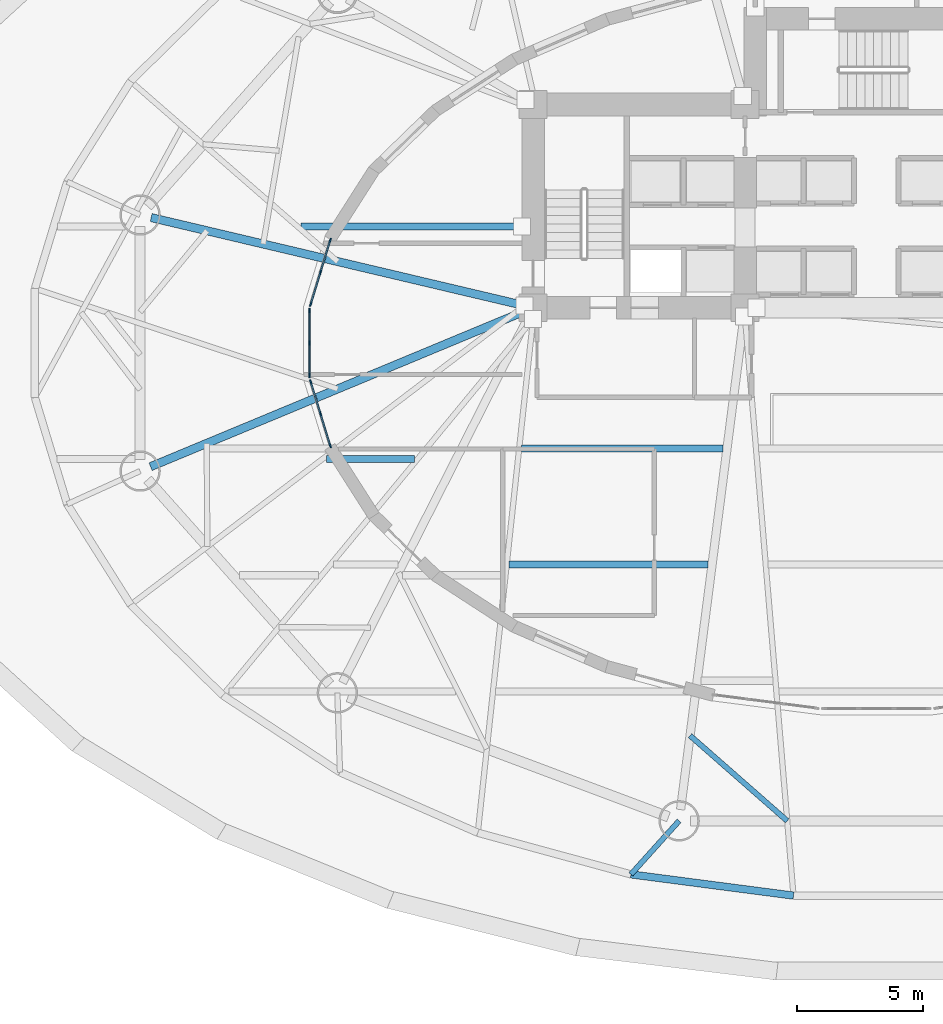
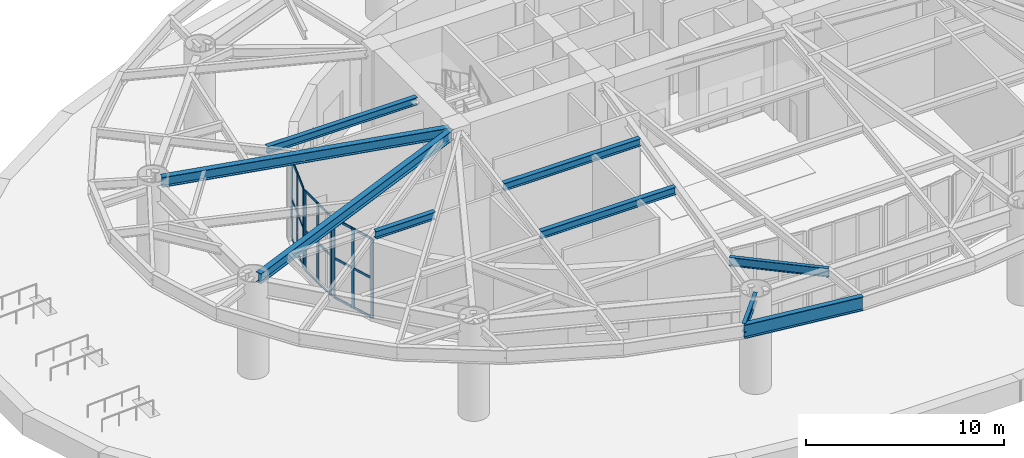
# One storey, part 3 of 21: 27 members, 9 beams, 3 elements without a shape of their own.
"""IFC4 building model written with IfcOpenShell, lengths in metres."""

from ifc_helpers import new_model, si_unit, direction, frame, origin, origin_2d, place, context, subcontext, project, spatial, rectangle, i_section, extrude, material, layer, layer_set, material_profile, profile_set, type_object, element, aggregate, save


model = new_model("IFC4")

# Units and contexts
model_context = context("Model", 3, precision=1e-05, world=origin(), true_north=direction((0.0, 1.0)))
body_context = subcontext(model_context, "Body", "Model", "MODEL_VIEW")
ifc_project = project(units=[si_unit("LENGTHUNIT", "METRE"), si_unit("AREAUNIT", "SQUARE_METRE"), si_unit("VOLUMEUNIT", "CUBIC_METRE"), si_unit("PLANEANGLEUNIT", "RADIAN"), si_unit("MASSUNIT", "GRAM", prefix="KILO")], contexts=[model_context])

# Site, building, storey
site_placement = place(None, origin())
site = spatial("IfcSite", under=ifc_project, at=site_placement, CompositionType="ELEMENT")
building_placement = place(site_placement, origin())
building = spatial("IfcBuilding", under=site, at=building_placement, Name="Keldmark Tower", CompositionType="ELEMENT")
storey_placement = place(building_placement, origin())
storey = spatial("IfcBuildingStorey", under=building, at=storey_placement, Name="L00", CompositionType="ELEMENT", Elevation=0.0)

# Beams
ifc_material_1 = material(Name="Steel ASTM A992 Grade 50", Category="steel")
ifc_material_profile_1 = material_profile(ifc_material_1, i_section(OverallWidth=0.280029296875, OverallDepth=0.462890625, WebThickness=0.0107421875, FlangeThickness=0.017333984375, at=origin_2d()), Name="W18X76")
ifc_profile_set_1 = profile_set([ifc_material_profile_1], Name="Steel ASTM A992 Grade 50")
beam_type_1 = type_object("IfcBeamType", Name="Composite Floor Joist W18X76", PredefinedType="JOIST", material=ifc_profile_set_1)
beam_1_placement = place(storey_placement, frame((-14.55126953125, -8.780029296875, 5.548583984375), z_axis=(1.0, 0.0, 0.0), x_axis=(0.0, 1.0, 0.0)))
element("IfcBeam", 1, at=beam_1_placement, inside=storey, type_object=beam_type_1, Name="L00 Composite Floor Joist J11", PredefinedType="JOIST", context=body_context, shape_type="SweptSolid", body=[
    extrude(i_section(OverallWidth=0.280029296875, OverallDepth=0.462890625, WebThickness=0.0107421875, FlangeThickness=0.017333984375, at=origin_2d()), origin(), (0.0, 0.0, 1.0), 7.885498046875),
])
beam_2_placement = place(storey_placement, frame((-21.7861328125, -4.60009765625, 5.548583984375), z_axis=(1.0, 0.0, 0.0), x_axis=(0.0, 1.0, 0.0)))
element("IfcBeam", 2, at=beam_2_placement, inside=storey, type_object=beam_type_1, Name="L00 Composite Floor Joist J19", PredefinedType="JOIST", context=body_context, shape_type="SweptSolid", body=[
    extrude(i_section(OverallWidth=0.280029296875, OverallDepth=0.462890625, WebThickness=0.0107421875, FlangeThickness=0.017333984375, at=origin_2d()), origin(), (0.0, 0.0, 1.0), 3.482177734375),
])
beam_3_placement = place(storey_placement, frame((-14.055908203125, -4.179931640625, 5.548583984375), z_axis=(1.0, 0.0, 0.0), x_axis=(0.0, 1.0, 0.0)))
element("IfcBeam", 3, at=beam_3_placement, inside=storey, type_object=beam_type_1, Name="L00 Composite Floor Joist J20", PredefinedType="JOIST", context=body_context, shape_type="SweptSolid", body=[
    extrude(i_section(OverallWidth=0.280029296875, OverallDepth=0.462890625, WebThickness=0.0107421875, FlangeThickness=0.017333984375, at=origin_2d()), origin(), (0.0, 0.0, 1.0), 7.98193359375),
])
beam_4_placement = place(storey_placement, frame((-22.790283203125, 4.6201171875, 5.548583984375), z_axis=(1.0, 0.0, 0.0), x_axis=(0.0, 1.0, 0.0)))
element("IfcBeam", 4, at=beam_4_placement, inside=storey, type_object=beam_type_1, Name="L00 Composite Floor Joist J28", PredefinedType="JOIST", context=body_context, shape_type="SweptSolid", body=[
    extrude(i_section(OverallWidth=0.280029296875, OverallDepth=0.462890625, WebThickness=0.0107421875, FlangeThickness=0.017333984375, at=origin_2d()), origin(), (0.0, 0.0, 1.0), 8.745361328125),
])

# Curtain wall, members
ifc_material_2 = material(Name="Unitized Thermally Broken Aluminum and Triple Low-E Glazing", Category="aluminium")
ifc_layer = layer(ifc_material_2, 0.219970703125)
ifc_layer_set = layer_set([ifc_layer], Name="Unitized Thermally Broken Aluminum and Triple Low-E Glazing")
curtain_wall_type = type_object("IfcCurtainWallType", Name="Skyway Entry Glazed Curtain Wall System", PredefinedType="NOTDEFINED", material=ifc_layer_set)
curtain_wall_1_placement = place(storey_placement, origin())
curtain_wall_1 = element("IfcCurtainWall", 5, at=curtain_wall_1_placement, inside=storey, type_object=curtain_wall_type, Name="L00 Skyway Entry Glazed Curtain Wall System CW-L00-15", PredefinedType="NOTDEFINED")
ifc_material_3 = material(Name="Extruded Aluminum Alloy 6063-T6", Category="aluminium")
ifc_material_profile_2 = material_profile(ifc_material_3, rectangle(XDim=0.06005859375, YDim=0.139892578125, at=origin_2d()), Name="CWT60X140")
ifc_profile_set_2 = profile_set([ifc_material_profile_2], Name="Extruded Aluminum Alloy 6063-T6")
member_type_1 = type_object("IfcMemberType", Name="Curtain Wall Horizontal Transom 60x140", PredefinedType="USERDEFINED", material=ifc_profile_set_2)
member_1_placement = place(storey_placement, frame((-21.647216796875, 4.03466796875, 0.030029296875), z_axis=(-0.293022039218, -0.956105686905, 0.0), x_axis=(0.956105686905, -0.293022039218, 0.0)))
member_1 = element("IfcMember", 6, at=member_1_placement, type_object=member_type_1, Name="CW transom 1.1", ObjectType="TRANSOM", PredefinedType="USERDEFINED", context=body_context, shape_type="SweptSolid", body=[
    extrude(rectangle(XDim=0.06005859375, YDim=0.139892578125, at=origin_2d()), origin(), (0.0, 0.0, 1.0), 1.258056640625),
])
member_2_placement = place(storey_placement, frame((-21.647216796875, 4.03466796875, 2.45458984375), z_axis=(-0.293022039218, -0.956105686905, 0.0), x_axis=(0.956105686905, -0.293022039218, 0.0)))
member_2 = element("IfcMember", 7, at=member_2_placement, type_object=member_type_1, Name="CW transom 1.2", ObjectType="TRANSOM", PredefinedType="USERDEFINED", context=body_context, shape_type="SweptSolid", body=[
    extrude(rectangle(XDim=0.06005859375, YDim=0.139892578125, at=origin_2d()), origin(), (0.0, 0.0, 1.0), 1.258056640625),
])
member_3_placement = place(storey_placement, frame((-21.647216796875, 4.03466796875, 4.87890625), z_axis=(-0.293022039218, -0.956105686905, 0.0), x_axis=(0.956105686905, -0.293022039218, 0.0)))
member_3 = element("IfcMember", 8, at=member_3_placement, type_object=member_type_1, Name="CW transom 1.3", ObjectType="TRANSOM", PredefinedType="USERDEFINED", context=body_context, shape_type="SweptSolid", body=[
    extrude(rectangle(XDim=0.06005859375, YDim=0.139892578125, at=origin_2d()), origin(), (0.0, 0.0, 1.0), 1.258056640625),
])
member_4_placement = place(storey_placement, frame((-22.033447265625, 2.7744140625, 0.030029296875), z_axis=(-0.293076415101, -0.956089020391, 0.0), x_axis=(0.956089020391, -0.293076415101, 0.0)))
member_4 = element("IfcMember", 9, at=member_4_placement, type_object=member_type_1, Name="CW transom 2.1", ObjectType="TRANSOM", PredefinedType="USERDEFINED", context=body_context, shape_type="SweptSolid", body=[
    extrude(rectangle(XDim=0.06005859375, YDim=0.139892578125, at=origin_2d()), origin(), (0.0, 0.0, 1.0), 1.2578125),
])
member_5_placement = place(storey_placement, frame((-22.033447265625, 2.7744140625, 2.45458984375), z_axis=(-0.293076415101, -0.956089020391, 0.0), x_axis=(0.956089020391, -0.293076415101, 0.0)))
member_5 = element("IfcMember", 10, at=member_5_placement, type_object=member_type_1, Name="CW transom 2.2", ObjectType="TRANSOM", PredefinedType="USERDEFINED", context=body_context, shape_type="SweptSolid", body=[
    extrude(rectangle(XDim=0.06005859375, YDim=0.139892578125, at=origin_2d()), origin(), (0.0, 0.0, 1.0), 1.2578125),
])
member_6_placement = place(storey_placement, frame((-22.033447265625, 2.7744140625, 4.87890625), z_axis=(-0.293076415101, -0.956089020391, 0.0), x_axis=(0.956089020391, -0.293076415101, 0.0)))
member_6 = element("IfcMember", 11, at=member_6_placement, type_object=member_type_1, Name="CW transom 2.3", ObjectType="TRANSOM", PredefinedType="USERDEFINED", context=body_context, shape_type="SweptSolid", body=[
    extrude(rectangle(XDim=0.06005859375, YDim=0.139892578125, at=origin_2d()), origin(), (0.0, 0.0, 1.0), 1.2578125),
])

curtain_wall_2_placement = place(storey_placement, origin())
curtain_wall_2 = element("IfcCurtainWall", 12, at=curtain_wall_2_placement, inside=storey, type_object=curtain_wall_type, Name="L00 Skyway Entry Glazed Curtain Wall System CW-L00-16", PredefinedType="NOTDEFINED")
member_7_placement = place(storey_placement, frame((-22.4501953125, 1.250732421875, 0.030029296875), z_axis=(0.0, -1.0, 0.0), x_axis=(1.0, 0.0, 0.0)))
member_7 = element("IfcMember", 13, at=member_7_placement, type_object=member_type_1, Name="CW transom 1.1", ObjectType="TRANSOM", PredefinedType="USERDEFINED", context=body_context, shape_type="SweptSolid", body=[
    extrude(rectangle(XDim=0.06005859375, YDim=0.139892578125, at=origin_2d()), origin(), (0.0, 0.0, 1.0), 1.220703125),
])
member_8_placement = place(storey_placement, frame((-22.4501953125, 1.250732421875, 2.45458984375), z_axis=(0.0, -1.0, 0.0), x_axis=(1.0, 0.0, 0.0)))
member_8 = element("IfcMember", 14, at=member_8_placement, type_object=member_type_1, Name="CW transom 1.2", ObjectType="TRANSOM", PredefinedType="USERDEFINED", context=body_context, shape_type="SweptSolid", body=[
    extrude(rectangle(XDim=0.06005859375, YDim=0.139892578125, at=origin_2d()), origin(), (0.0, 0.0, 1.0), 1.220703125),
])
member_9_placement = place(storey_placement, frame((-22.4501953125, 1.250732421875, 4.87890625), z_axis=(0.0, -1.0, 0.0), x_axis=(1.0, 0.0, 0.0)))
member_9 = element("IfcMember", 15, at=member_9_placement, type_object=member_type_1, Name="CW transom 1.3", ObjectType="TRANSOM", PredefinedType="USERDEFINED", context=body_context, shape_type="SweptSolid", body=[
    extrude(rectangle(XDim=0.06005859375, YDim=0.139892578125, at=origin_2d()), origin(), (0.0, 0.0, 1.0), 1.220703125),
])
member_10_placement = place(storey_placement, frame((-22.4501953125, -0.030029296875, 0.030029296875), z_axis=(0.0, -1.0, 0.0), x_axis=(1.0, 0.0, 0.0)))
member_10 = element("IfcMember", 16, at=member_10_placement, type_object=member_type_1, Name="CW transom 2.1", ObjectType="TRANSOM", PredefinedType="USERDEFINED", context=body_context, shape_type="SweptSolid", body=[
    extrude(rectangle(XDim=0.06005859375, YDim=0.139892578125, at=origin_2d()), origin(), (0.0, 0.0, 1.0), 1.220703125),
])
member_11_placement = place(storey_placement, frame((-22.4501953125, -0.030029296875, 2.45458984375), z_axis=(0.0, -1.0, 0.0), x_axis=(1.0, 0.0, 0.0)))
member_11 = element("IfcMember", 17, at=member_11_placement, type_object=member_type_1, Name="CW transom 2.2", ObjectType="TRANSOM", PredefinedType="USERDEFINED", context=body_context, shape_type="SweptSolid", body=[
    extrude(rectangle(XDim=0.06005859375, YDim=0.139892578125, at=origin_2d()), origin(), (0.0, 0.0, 1.0), 1.220703125),
])
member_12_placement = place(storey_placement, frame((-22.4501953125, -0.030029296875, 4.87890625), z_axis=(0.0, -1.0, 0.0), x_axis=(1.0, 0.0, 0.0)))
member_12 = element("IfcMember", 18, at=member_12_placement, type_object=member_type_1, Name="CW transom 2.3", ObjectType="TRANSOM", PredefinedType="USERDEFINED", context=body_context, shape_type="SweptSolid", body=[
    extrude(rectangle(XDim=0.06005859375, YDim=0.139892578125, at=origin_2d()), origin(), (0.0, 0.0, 1.0), 1.220703125),
])

curtain_wall_3_placement = place(storey_placement, origin())
curtain_wall_3 = element("IfcCurtainWall", 19, at=curtain_wall_3_placement, inside=storey, type_object=curtain_wall_type, Name="L00 Skyway Entry Glazed Curtain Wall System CW-L00-17", PredefinedType="NOTDEFINED")
member_13_placement = place(storey_placement, frame((-22.402099609375, -1.57177734375, 0.030029296875), z_axis=(0.293076415101, -0.956089020391, 0.0), x_axis=(0.956089020391, 0.293076415101, 0.0)))
member_13 = element("IfcMember", 20, at=member_13_placement, type_object=member_type_1, Name="CW transom 1.1", ObjectType="TRANSOM", PredefinedType="USERDEFINED", context=body_context, shape_type="SweptSolid", body=[
    extrude(rectangle(XDim=0.06005859375, YDim=0.139892578125, at=origin_2d()), origin(), (0.0, 0.0, 1.0), 1.2578125),
])
member_14_placement = place(storey_placement, frame((-22.402099609375, -1.57177734375, 2.45458984375), z_axis=(0.293076415101, -0.956089020391, 0.0), x_axis=(0.956089020391, 0.293076415101, 0.0)))
member_14 = element("IfcMember", 21, at=member_14_placement, type_object=member_type_1, Name="CW transom 1.2", ObjectType="TRANSOM", PredefinedType="USERDEFINED", context=body_context, shape_type="SweptSolid", body=[
    extrude(rectangle(XDim=0.06005859375, YDim=0.139892578125, at=origin_2d()), origin(), (0.0, 0.0, 1.0), 1.2578125),
])
member_15_placement = place(storey_placement, frame((-22.402099609375, -1.57177734375, 4.87890625), z_axis=(0.293076415101, -0.956089020391, 0.0), x_axis=(0.956089020391, 0.293076415101, 0.0)))
member_15 = element("IfcMember", 22, at=member_15_placement, type_object=member_type_1, Name="CW transom 1.3", ObjectType="TRANSOM", PredefinedType="USERDEFINED", context=body_context, shape_type="SweptSolid", body=[
    extrude(rectangle(XDim=0.06005859375, YDim=0.139892578125, at=origin_2d()), origin(), (0.0, 0.0, 1.0), 1.2578125),
])
member_16_placement = place(storey_placement, frame((-22.015869140625, -2.831787109375, 0.030029296875), z_axis=(0.293022039218, -0.956105686905, 0.0), x_axis=(0.956105686905, 0.293022039218, 0.0)))
member_16 = element("IfcMember", 23, at=member_16_placement, type_object=member_type_1, Name="CW transom 2.1", ObjectType="TRANSOM", PredefinedType="USERDEFINED", context=body_context, shape_type="SweptSolid", body=[
    extrude(rectangle(XDim=0.06005859375, YDim=0.139892578125, at=origin_2d()), origin(), (0.0, 0.0, 1.0), 1.258056640625),
])
member_17_placement = place(storey_placement, frame((-22.015869140625, -2.831787109375, 2.45458984375), z_axis=(0.293022039218, -0.956105686905, 0.0), x_axis=(0.956105686905, 0.293022039218, 0.0)))
member_17 = element("IfcMember", 24, at=member_17_placement, type_object=member_type_1, Name="CW transom 2.2", ObjectType="TRANSOM", PredefinedType="USERDEFINED", context=body_context, shape_type="SweptSolid", body=[
    extrude(rectangle(XDim=0.06005859375, YDim=0.139892578125, at=origin_2d()), origin(), (0.0, 0.0, 1.0), 1.258056640625),
])
member_18_placement = place(storey_placement, frame((-22.015869140625, -2.831787109375, 4.87890625), z_axis=(0.293022039218, -0.956105686905, 0.0), x_axis=(0.956105686905, 0.293022039218, 0.0)))
member_18 = element("IfcMember", 25, at=member_18_placement, type_object=member_type_1, Name="CW transom 2.3", ObjectType="TRANSOM", PredefinedType="USERDEFINED", context=body_context, shape_type="SweptSolid", body=[
    extrude(rectangle(XDim=0.06005859375, YDim=0.139892578125, at=origin_2d()), origin(), (0.0, 0.0, 1.0), 1.258056640625),
])

# Member
ifc_material_4 = material(Name="Extruded Aluminum Alloy 6063-T6", Category="aluminium")
ifc_material_profile_3 = material_profile(ifc_material_4, rectangle(XDim=0.06005859375, YDim=0.179931640625, at=origin_2d()), Name="CWM60X180")
ifc_profile_set_3 = profile_set([ifc_material_profile_3], Name="Extruded Aluminum Alloy 6063-T6")
member_type_2 = type_object("IfcMemberType", Name="Curtain Wall Structural Mullion 60x180", PredefinedType="MULLION", material=ifc_profile_set_3)
member_19_placement = place(storey_placement, frame((-21.638427734375, 4.063232421875, 0.0), z_axis=(0.0, 0.0, 1.0), x_axis=(0.956105623633, -0.293022245671, 0.0)))
member_19 = element("IfcMember", 26, at=member_19_placement, type_object=member_type_2, Name="CW mullion 1", PredefinedType="MULLION", context=body_context, shape_type="SweptSolid", body=[
    extrude(rectangle(XDim=0.06005859375, YDim=0.179931640625, at=origin_2d()), origin(), (0.0, 0.0, 1.0), 4.908935546875),
])

member_20_placement = place(storey_placement, frame((-22.024658203125, 2.80322265625, 0.0), z_axis=(0.0, 0.0, 1.0), x_axis=(0.956105623633, -0.293022245671, 0.0)))
member_20 = element("IfcMember", 27, at=member_20_placement, type_object=member_type_2, Name="CW mullion 2", PredefinedType="MULLION", context=body_context, shape_type="SweptSolid", body=[
    extrude(rectangle(XDim=0.06005859375, YDim=0.179931640625, at=origin_2d()), origin(), (0.0, 0.0, 1.0), 4.908935546875),
])

member_21_placement = place(storey_placement, frame((-22.410888671875, 1.54296875, 0.0), z_axis=(0.0, 0.0, 1.0), x_axis=(0.956105623633, -0.293022245671, 0.0)))
member_21 = element("IfcMember", 28, at=member_21_placement, type_object=member_type_2, Name="CW mullion 3", PredefinedType="MULLION", context=body_context, shape_type="SweptSolid", body=[
    extrude(rectangle(XDim=0.06005859375, YDim=0.179931640625, at=origin_2d()), origin(), (0.0, 0.0, 1.0), 4.908935546875),
])

aggregate(curtain_wall_1, [member_19, member_20, member_21, member_1, member_2, member_3, member_4, member_5, member_6])

member_22_placement = place(storey_placement, frame((-22.4501953125, 1.28076171875, 0.0), z_axis=(0.0, 0.0, 1.0), x_axis=(1.0, 0.0, 0.0)))
member_22 = element("IfcMember", 29, at=member_22_placement, type_object=member_type_2, Name="CW mullion 1", PredefinedType="MULLION", context=body_context, shape_type="SweptSolid", body=[
    extrude(rectangle(XDim=0.06005859375, YDim=0.179931640625, at=origin_2d()), origin(), (0.0, 0.0, 1.0), 4.908935546875),
])

member_23_placement = place(storey_placement, frame((-22.4501953125, 0.0, 0.0), z_axis=(0.0, 0.0, 1.0), x_axis=(1.0, 0.0, 0.0)))
member_23 = element("IfcMember", 30, at=member_23_placement, type_object=member_type_2, Name="CW mullion 2", PredefinedType="MULLION", context=body_context, shape_type="SweptSolid", body=[
    extrude(rectangle(XDim=0.06005859375, YDim=0.179931640625, at=origin_2d()), origin(), (0.0, 0.0, 1.0), 4.908935546875),
])

member_24_placement = place(storey_placement, frame((-22.4501953125, -1.28076171875, 0.0), z_axis=(0.0, 0.0, 1.0), x_axis=(1.0, 0.0, 0.0)))
member_24 = element("IfcMember", 31, at=member_24_placement, type_object=member_type_2, Name="CW mullion 3", PredefinedType="MULLION", context=body_context, shape_type="SweptSolid", body=[
    extrude(rectangle(XDim=0.06005859375, YDim=0.179931640625, at=origin_2d()), origin(), (0.0, 0.0, 1.0), 4.908935546875),
])

aggregate(curtain_wall_2, [member_22, member_23, member_24, member_7, member_8, member_9, member_10, member_11, member_12])

member_25_placement = place(storey_placement, frame((-22.410888671875, -1.54296875, 0.0), z_axis=(0.0, 0.0, 1.0), x_axis=(0.956105623633, 0.293022245671, 0.0)))
member_25 = element("IfcMember", 32, at=member_25_placement, type_object=member_type_2, Name="CW mullion 1", PredefinedType="MULLION", context=body_context, shape_type="SweptSolid", body=[
    extrude(rectangle(XDim=0.06005859375, YDim=0.179931640625, at=origin_2d()), origin(), (0.0, 0.0, 1.0), 4.908935546875),
])

member_26_placement = place(storey_placement, frame((-22.024658203125, -2.80322265625, 0.0), z_axis=(0.0, 0.0, 1.0), x_axis=(0.956105623633, 0.293022245671, 0.0)))
member_26 = element("IfcMember", 33, at=member_26_placement, type_object=member_type_2, Name="CW mullion 2", PredefinedType="MULLION", context=body_context, shape_type="SweptSolid", body=[
    extrude(rectangle(XDim=0.06005859375, YDim=0.179931640625, at=origin_2d()), origin(), (0.0, 0.0, 1.0), 4.908935546875),
])

member_27_placement = place(storey_placement, frame((-21.638427734375, -4.063232421875, 0.0), z_axis=(0.0, 0.0, 1.0), x_axis=(0.956105623633, 0.293022245671, 0.0)))
member_27 = element("IfcMember", 34, at=member_27_placement, type_object=member_type_2, Name="CW mullion 3", PredefinedType="MULLION", context=body_context, shape_type="SweptSolid", body=[
    extrude(rectangle(XDim=0.06005859375, YDim=0.179931640625, at=origin_2d()), origin(), (0.0, 0.0, 1.0), 4.908935546875),
])

aggregate(curtain_wall_3, [member_25, member_26, member_27, member_13, member_14, member_15, member_16, member_17, member_18])

# Beams
ifc_material_5 = material(Name="Steel ASTM A992 Grade 50", Category="steel")
ifc_material_profile_4 = material_profile(ifc_material_5, i_section(OverallWidth=0.2099609375, OverallDepth=0.537109375, WebThickness=0.010986328125, FlangeThickness=0.017333984375, at=origin_2d()), Name="W21X68")
ifc_profile_set_4 = profile_set([ifc_material_profile_4], Name="Steel ASTM A992 Grade 50")
beam_type_2 = type_object("IfcBeamType", Name="Radial Tie Girder W21X68", PredefinedType="BEAM", material=ifc_profile_set_4)
beam_5_placement = place(storey_placement, frame((-7.81640625, -18.93212890625, 5.511474609375), z_axis=(-0.668898533975, -0.743353718795, 0.0), x_axis=(0.743353718795, -0.668898533975, 0.0)))
element("IfcBeam", 35, at=beam_5_placement, inside=storey, type_object=beam_type_2, Name="L00 Perimeter Column Bracket RT-23", PredefinedType="BEAM", context=body_context, shape_type="SweptSolid", body=[
    extrude(i_section(OverallWidth=0.2099609375, OverallDepth=0.537109375, WebThickness=0.010986328125, FlangeThickness=0.017333984375, at=origin_2d()), origin(), (0.0, 0.0, 1.0), 2.852783203125),
])
beam_6_placement = place(storey_placement, frame((-7.3818359375, -15.554931640625, 5.511474609375), z_axis=(0.751746259669, -0.659452470671, 0.0), x_axis=(0.659452470671, 0.751746259669, 0.0)))
element("IfcBeam", 36, at=beam_6_placement, inside=storey, type_object=beam_type_2, Name="L00 Framing Pin Header PH-019", PredefinedType="BEAM", context=body_context, shape_type="SweptSolid", body=[
    extrude(i_section(OverallWidth=0.2099609375, OverallDepth=0.537109375, WebThickness=0.010986328125, FlangeThickness=0.017333984375, at=origin_2d()), origin(), (0.0, 0.0, 1.0), 5.12109375),
])
ifc_material_6 = material(Name="Steel ASTM A992 Grade 50", Category="steel")
ifc_material_profile_5 = material_profile(ifc_material_6, i_section(OverallWidth=0.326904296875, OverallDepth=0.6220703125, WebThickness=0.015380859375, FlangeThickness=0.0244140625, at=origin_2d()), Name="W24X131")
ifc_profile_set_5 = profile_set([ifc_material_profile_5], Name="Steel ASTM A992 Grade 50")
beam_type_3 = type_object("IfcBeamType", Name="Spandrel Ring Beam W24X131", PredefinedType="SPANDREL", material=ifc_profile_set_5)
beam_7_placement = place(storey_placement, frame((-28.73291015625, 4.969482421875, 5.468994140625), z_axis=(0.973292516513, -0.229568458854, 0.0), x_axis=(0.229568458854, 0.973292516513, 0.0)))
element("IfcBeam", 37, at=beam_7_placement, inside=storey, type_object=beam_type_3, Name="L00 Podium Radial Girder PG-C06", PredefinedType="SPANDREL", context=body_context, shape_type="SweptSolid", body=[
    extrude(i_section(OverallWidth=0.326904296875, OverallDepth=0.6220703125, WebThickness=0.015380859375, FlangeThickness=0.0244140625, at=origin_2d()), origin(), (0.0, 0.0, 1.0), 15.1982421875),
])
beam_8_placement = place(storey_placement, frame((-28.755615234375, -4.900146484375, 5.468994140625), z_axis=(0.923395872542, 0.383849010123, 0.0), x_axis=(-0.383849010123, 0.923395872542, 0.0)))
element("IfcBeam", 38, at=beam_8_placement, inside=storey, type_object=beam_type_3, Name="L00 Podium Radial Girder PG-C07", PredefinedType="SPANDREL", context=body_context, shape_type="SweptSolid", body=[
    extrude(i_section(OverallWidth=0.326904296875, OverallDepth=0.6220703125, WebThickness=0.015380859375, FlangeThickness=0.0244140625, at=origin_2d()), origin(), (0.0, 0.0, 1.0), 16.06298828125),
])
ifc_material_7 = material(Name="Steel ASTM A992 Grade 50", Category="steel")
ifc_material_profile_6 = material_profile(ifc_material_7, i_section(OverallWidth=0.2919921875, OverallDepth=0.85888671875, WebThickness=0.01708984375, FlangeThickness=0.031005859375, at=origin_2d()), Name="W33X169")
ifc_profile_set_6 = profile_set([ifc_material_profile_6], Name="Steel ASTM A992 Grade 50")
beam_type_4 = type_object("IfcBeamType", Name="Spandrel Ring Beam W33X169", PredefinedType="SPANDREL", material=ifc_profile_set_6)
beam_9_placement = place(storey_placement, frame((-9.724609375, -21.052734375, 5.3505859375), z_axis=(0.991576921472, -0.129519144545, 0.0), x_axis=(0.129519144545, 0.991576921472, 0.0)))
element("IfcBeam", 39, at=beam_9_placement, inside=storey, type_object=beam_type_4, Name="L00 Perimeter Spandrel Ring Beam SRB-23", PredefinedType="SPANDREL", context=body_context, shape_type="SweptSolid", body=[
    extrude(i_section(OverallWidth=0.2919921875, OverallDepth=0.85888671875, WebThickness=0.01708984375, FlangeThickness=0.031005859375, at=origin_2d()), origin(), (0.0, 0.0, 1.0), 6.49560546875),
])

save(model, "model.ifc")
